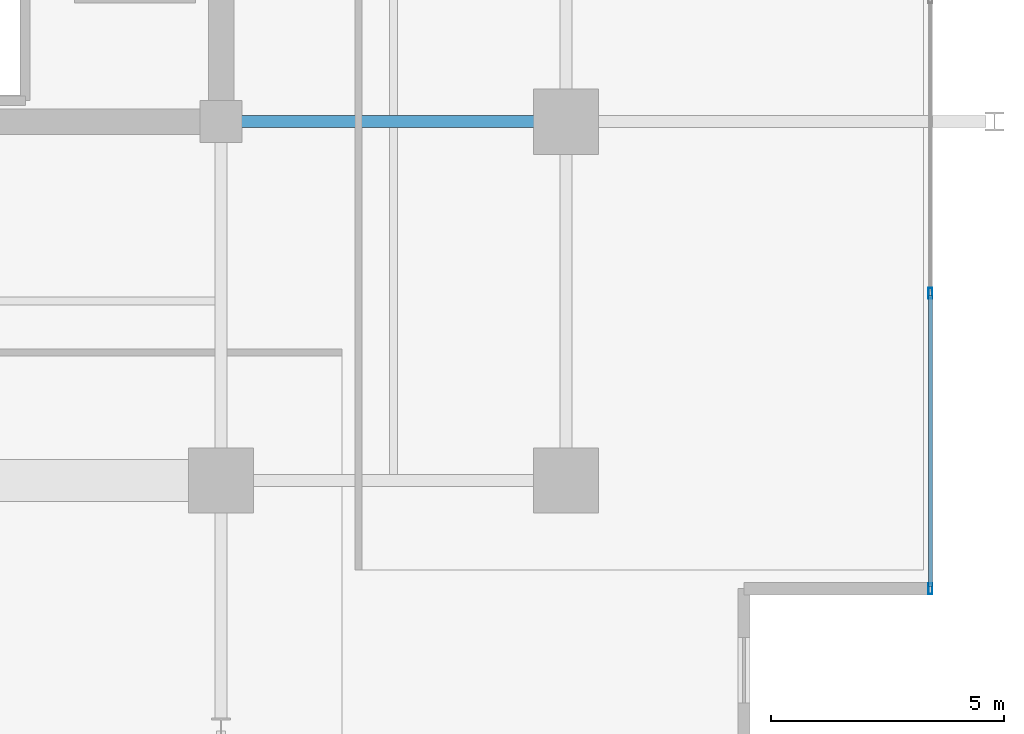
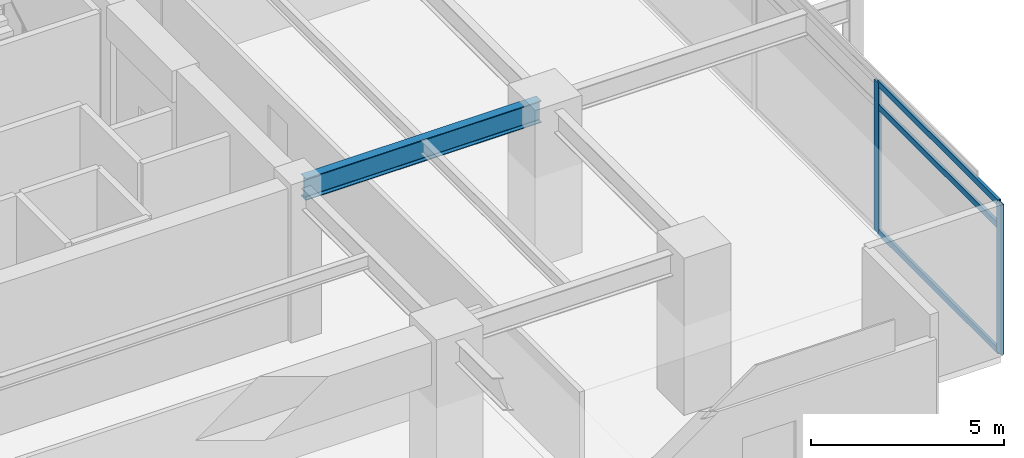
# One storey, part 7 of 21: 5 members, 1 beam, 1 element without a shape of its own.
"""IFC4 building model written with IfcOpenShell, lengths in metres."""

from ifc_helpers import new_model, si_unit, direction, frame, origin, origin_2d, place, context, subcontext, project, spatial, hollow_rectangle, i_section, extrude, material, material_profile, profile_set, type_object, element, aggregate, save


model = new_model("IFC4")

# Units and contexts
model_context = context("Model", 3, precision=1e-05, world=origin(), true_north=direction((0.0, 1.0)))
body_context = subcontext(model_context, "Body", "Model", "MODEL_VIEW")
ifc_project = project(units=[si_unit("LENGTHUNIT", "METRE"), si_unit("AREAUNIT", "SQUARE_METRE"), si_unit("VOLUMEUNIT", "CUBIC_METRE"), si_unit("PLANEANGLEUNIT", "RADIAN"), si_unit("MASSUNIT", "GRAM", prefix="KILO")], contexts=[model_context])

# Site, building, storey
site_placement = place(None, origin())
site = spatial("IfcSite", under=ifc_project, at=site_placement, CompositionType="ELEMENT")
building_placement = place(site_placement, origin())
building = spatial("IfcBuilding", under=site, at=building_placement, Name="Kovane Verandah Tower", CompositionType="ELEMENT")
storey_placement = place(building_placement, frame((0.0, 0.0, 238.199951171875)))
storey = spatial("IfcBuildingStorey", under=building, at=storey_placement, Name="L55", CompositionType="ELEMENT", Elevation=238.199951171875)

# Beam
ifc_material_1 = material(Name="Steel S355", Category="steel")
ifc_material_profile_1 = material_profile(ifc_material_1, i_section(OverallWidth=0.255859375, OverallDepth=0.69287109375, WebThickness=0.014404296875, FlangeThickness=0.023681640625, FilletRadius=0.01513671875, at=origin_2d()), Name="UB686x254x170")
ifc_profile_set_1 = profile_set([ifc_material_profile_1], Name="Steel S355")
beam_type = type_object("IfcBeamType", Name="BM-UB686x170", PredefinedType="BEAM", material=ifc_profile_set_1)
beam_placement = place(storey_placement, frame((51.179931640625, 18.5, 4.438720703125), z_axis=(1.0, 0.0, 0.0), x_axis=(0.0, 1.0, 0.0)))
element("IfcBeam", 1, at=beam_placement, inside=storey, type_object=beam_type, Name="L55 Primary Tower Girder G-E1", PredefinedType="BEAM", context=body_context, shape_type="SweptSolid", body=[
    extrude(i_section(OverallWidth=0.255859375, OverallDepth=0.69287109375, WebThickness=0.014404296875, FlangeThickness=0.023681640625, FilletRadius=0.01513671875, at=origin_2d()), origin(), (0.0, 0.0, 1.0), 7.0400390625),
])

# Curtain wall, members
ifc_material_2 = material(Name="Champagne Anodised Aluminium Frame with Low-E Clear Laminated Glass", Category="aluminium")
curtain_wall_type = type_object("IfcCurtainWallType", Name="CW-SYS-03-MID", PredefinedType="NOTDEFINED", material=ifc_material_2)
curtain_wall_placement = place(storey_placement, origin())
curtain_wall = element("IfcCurtainWall", 2, at=curtain_wall_placement, inside=storey, type_object=curtain_wall_type, Name="L55 E Unitised Curtain Wall", PredefinedType="NOTDEFINED")
ifc_material_3 = material(Name="Champagne Anodised Aluminium 6063-T6", Category="aluminium")
ifc_material_profile_2 = material_profile(ifc_material_3, hollow_rectangle(XDim=0.0849609375, YDim=0.22998046875, WallThickness=0.00390625, at=origin_2d()), Name="AL85x230x4")
ifc_profile_set_2 = profile_set([ifc_material_profile_2], Name="Champagne Anodised Aluminium 6063-T6")
member_type_1 = type_object("IfcMemberType", Name="CW-MUL-85x230", PredefinedType="MULLION", material=ifc_profile_set_2)
member_1_placement = place(storey_placement, frame((66.220703125, 8.4765625, 0.02001953125), z_axis=(0.0, 0.0, 1.0), x_axis=(1.0, 0.0, 0.0)))
member_1 = element("IfcMember", 3, at=member_1_placement, type_object=member_type_1, Name="L55 E Unitised Curtain Wall Mullion 1", PredefinedType="MULLION", context=body_context, shape_type="SweptSolid", body=[
    extrude(hollow_rectangle(XDim=0.0849609375, YDim=0.22998046875, WallThickness=0.00390625, at=origin_2d()), origin(), (0.0, 0.0, 1.0), 4.7451171875),
])
member_2_placement = place(storey_placement, frame((66.220703125, 14.817626953125, 0.02001953125), z_axis=(0.0, 0.0, 1.0), x_axis=(1.0, 0.0, 0.0)))
member_2 = element("IfcMember", 4, at=member_2_placement, type_object=member_type_1, Name="L55 E Unitised Curtain Wall Mullion 2", PredefinedType="MULLION", context=body_context, shape_type="SweptSolid", body=[
    extrude(hollow_rectangle(XDim=0.0849609375, YDim=0.22998046875, WallThickness=0.00390625, at=origin_2d()), origin(), (0.0, 0.0, 1.0), 4.7451171875),
])
ifc_material_profile_3 = material_profile(ifc_material_3, hollow_rectangle(XDim=0.0849609375, YDim=0.18994140625, WallThickness=0.00390625, at=origin_2d()), Name="AL85x190x4")
ifc_profile_set_3 = profile_set([ifc_material_profile_3], Name="Champagne Anodised Aluminium 6063-T6")
member_type_2 = type_object("IfcMemberType", Name="CW-TRN-85x190", PredefinedType="USERDEFINED", material=ifc_profile_set_3)
member_3_placement = place(storey_placement, frame((66.220703125, 8.526611328125, 0.050048828125), z_axis=(0.0, 1.0, 0.0), x_axis=(-1.0, 0.0, 0.0)))
member_3 = element("IfcMember", 5, at=member_3_placement, type_object=member_type_2, Name="L55 E Unitised Curtain Wall Transom TB Bay 1", ObjectType="TRANSOM", PredefinedType="USERDEFINED", context=body_context, shape_type="SweptSolid", body=[
    extrude(hollow_rectangle(XDim=0.0849609375, YDim=0.18994140625, WallThickness=0.00390625, at=origin_2d()), origin(), (0.0, 0.0, 1.0), 6.240966796875),
])
member_4_placement = place(storey_placement, frame((66.220703125, 8.526611328125, 4.005126953125), z_axis=(0.0, 1.0, 0.0), x_axis=(-1.0, 0.0, 0.0)))
member_4 = element("IfcMember", 6, at=member_4_placement, type_object=member_type_2, Name="L55 E Unitised Curtain Wall Transom TM Bay 1", ObjectType="TRANSOM", PredefinedType="USERDEFINED", context=body_context, shape_type="SweptSolid", body=[
    extrude(hollow_rectangle(XDim=0.0849609375, YDim=0.18994140625, WallThickness=0.00390625, at=origin_2d()), origin(), (0.0, 0.0, 1.0), 6.240966796875),
])
member_5_placement = place(storey_placement, frame((66.220703125, 8.526611328125, 4.735107421875), z_axis=(0.0, 1.0, 0.0), x_axis=(-1.0, 0.0, 0.0)))
member_5 = element("IfcMember", 7, at=member_5_placement, type_object=member_type_2, Name="L55 E Unitised Curtain Wall Transom TT Bay 1", ObjectType="TRANSOM", PredefinedType="USERDEFINED", context=body_context, shape_type="SweptSolid", body=[
    extrude(hollow_rectangle(XDim=0.0849609375, YDim=0.18994140625, WallThickness=0.00390625, at=origin_2d()), origin(), (0.0, 0.0, 1.0), 6.240966796875),
])
aggregate(curtain_wall, [member_1, member_2, member_3, member_4, member_5])

save(model, "model.ifc")
